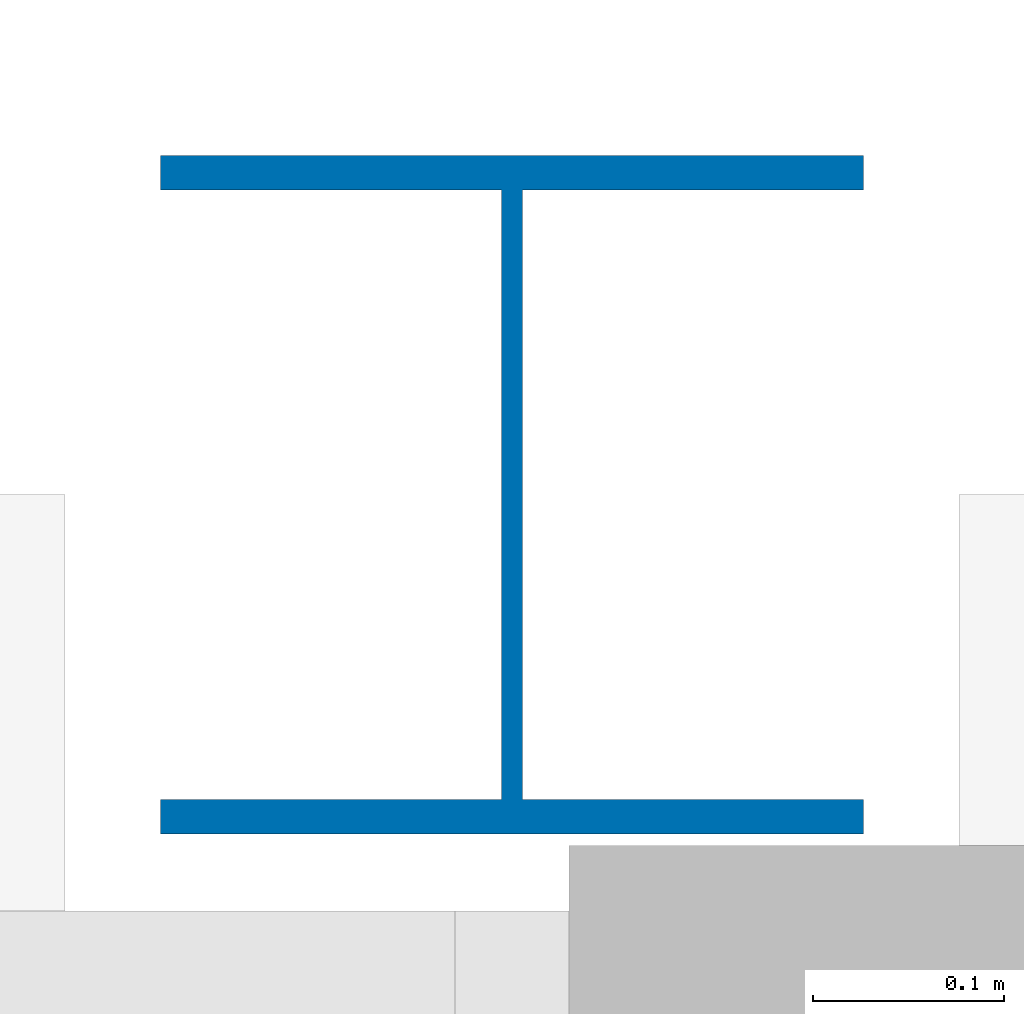
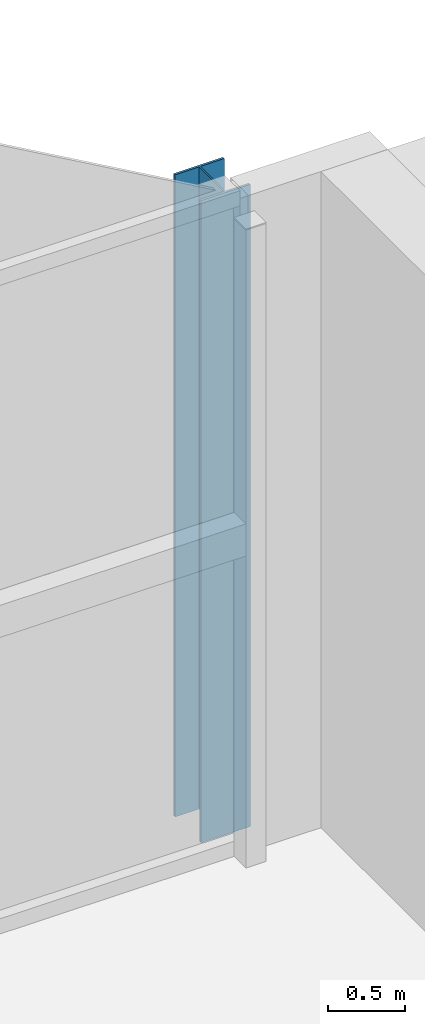
# One storey, part 10 of 93: 1 column.
"""IFC4 building model written with IfcOpenShell, lengths in metres."""

from ifc_helpers import new_model, si_unit, direction, frame, origin, origin_2d, place, context, subcontext, project, spatial, i_section, extrude, material, material_profile, profile_set, type_object, element, save


model = new_model("IFC4")

# Units and contexts
model_context = context("Model", 3, precision=1e-05, world=origin(), true_north=direction((0.0, 1.0)))
body_context = subcontext(model_context, "Body", "Model", "MODEL_VIEW")
ifc_project = project(units=[si_unit("LENGTHUNIT", "METRE"), si_unit("AREAUNIT", "SQUARE_METRE"), si_unit("VOLUMEUNIT", "CUBIC_METRE"), si_unit("PLANEANGLEUNIT", "RADIAN"), si_unit("MASSUNIT", "GRAM", prefix="KILO")], contexts=[model_context])

# Site, building, storey
site_placement = place(None, origin())
site = spatial("IfcSite", under=ifc_project, at=site_placement, CompositionType="ELEMENT")
building_placement = place(site_placement, origin())
building = spatial("IfcBuilding", under=site, at=building_placement, Name="Verrick Yard Athletic Hall", CompositionType="ELEMENT")
storey_placement = place(building_placement, frame((0.0, 0.0, 8.800048828125)))
storey = spatial("IfcBuildingStorey", under=building, at=storey_placement, Name="L02", CompositionType="ELEMENT", Elevation=8.800048828125)

# Column
ifc_material = material(Name="Structural steel 350W (CSA G40.21)", Category="steel")
ifc_material_profile = material_profile(ifc_material, i_section(OverallWidth=0.368896484375, OverallDepth=0.35595703125, WebThickness=0.01123046875, FlangeThickness=0.01806640625, at=origin_2d()), Name="W360x134")
ifc_profile_set = profile_set([ifc_material_profile], Name="Structural steel 350W (CSA G40.21)")
column_type = type_object("IfcColumnType", Name="HB column W360x134", PredefinedType="COLUMN", material=ifc_profile_set)
column_placement = place(storey_placement, frame((76.0, 108.0, 0.0), z_axis=(0.0, 0.0, 1.0), x_axis=(1.0, 0.0, 0.0)))
element("IfcColumn", 1, at=column_placement, inside=storey, type_object=column_type, Name="HB-C-HBE6-L02", PredefinedType="COLUMN", context=body_context, shape_type="SweptSolid", body=[
    extrude(i_section(OverallWidth=0.368896484375, OverallDepth=0.35595703125, WebThickness=0.01123046875, FlangeThickness=0.01806640625, at=origin_2d()), origin(), (0.0, 0.0, 1.0), 5.089111328125),
])

save(model, "model.ifc")
